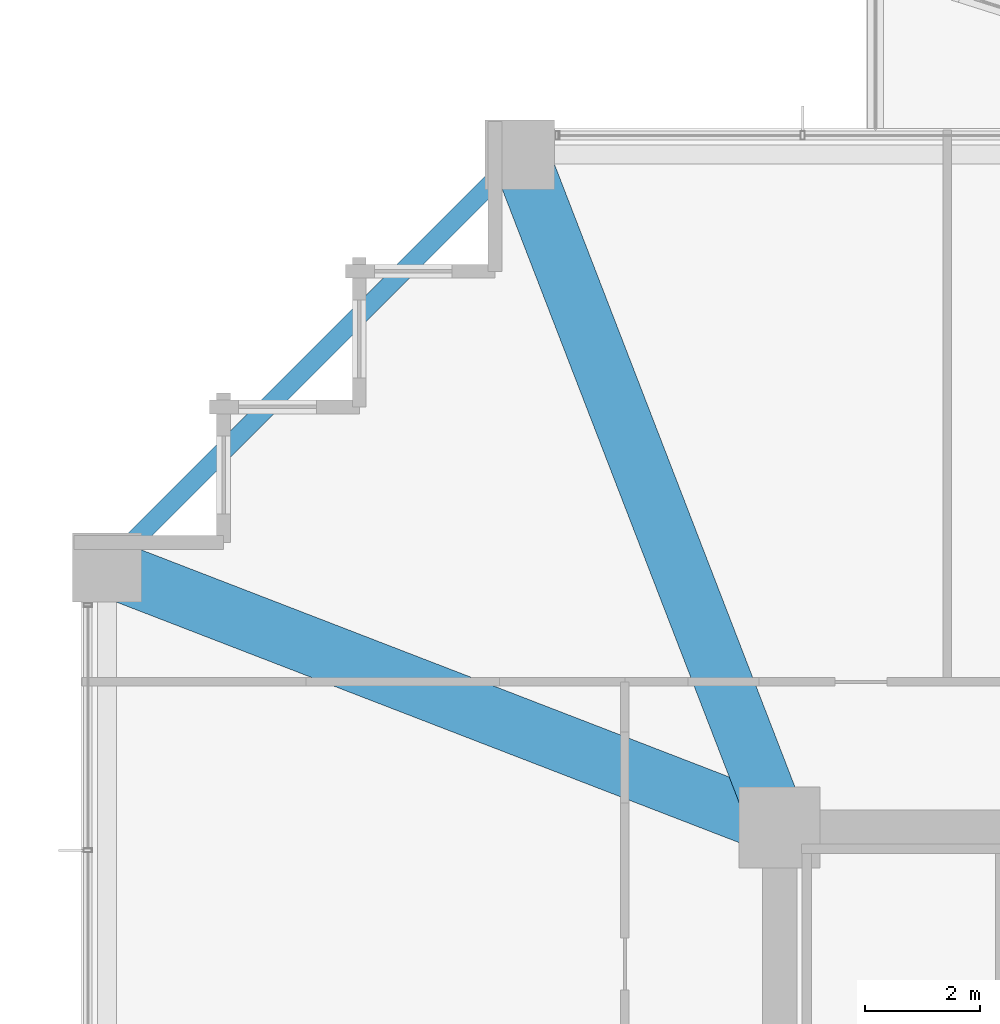
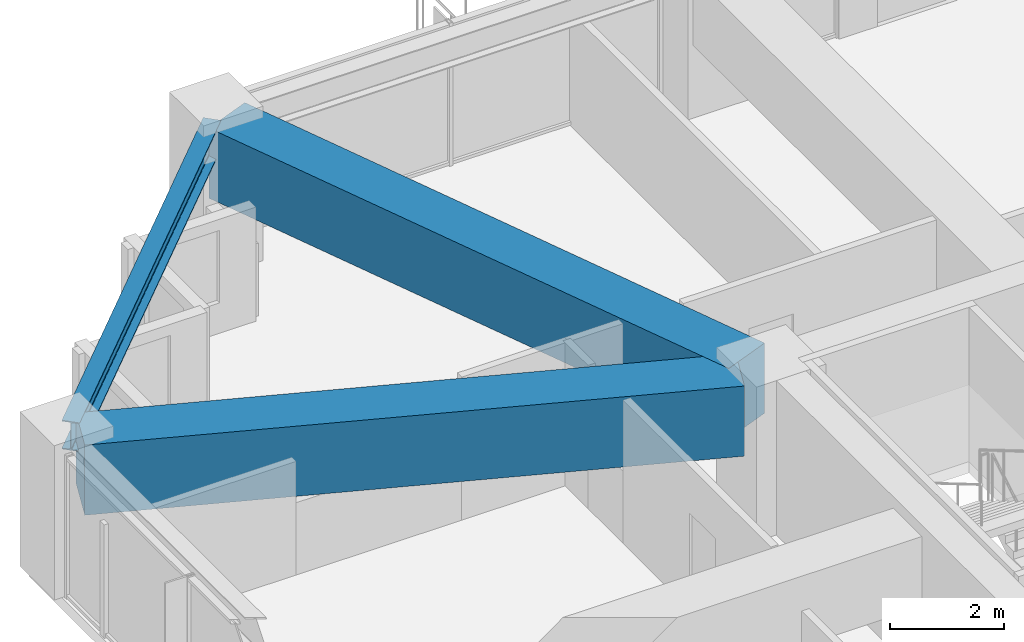
# One storey, part 17 of 37: 3 beams.
"""IFC4 building model written with IfcOpenShell, lengths in metres."""

import ifcopenshell
import ifcopenshell.guid

model = None  # the IFC model being written
_history = None  # IfcOwnerHistory: only IFC2X3 demands one
_inside = {}  # id of a spatial element -> (the spatial element, [elements in it])
_under = {}  # id of a project, library or spatial element -> (it, [spatial elements below it])
_declared = {}  # id of a project -> (the project, [libraries it declares])
_typed = {}  # id of a type object -> (the type object, [elements of that type])
_made_of = {}  # id of a material, layer set ... -> (it, [elements and type objects made of it])


def new_model(schema):
    """Start an empty IFC model of exactly this schema.

    Asked for "IFC4X3", IfcOpenShell would pick the latest addendum, in which some entities
    have other attributes; the version numbers below select the first issue.
    IFC2X3 requires an IfcOwnerHistory on every rooted entity: one is made here for all.
    """
    global model, _history
    if schema == "IFC4X3":
        model = ifcopenshell.file(schema_version=(4, 3, 0, 0))
    else:
        model = ifcopenshell.file(schema=schema)
    _inside.clear()
    _under.clear()
    _declared.clear()
    _typed.clear()
    _made_of.clear()
    _history = None
    if model.schema == "IFC2X3":
        org = make("IfcOrganization", Name="unknown")
        user = make(
            "IfcPersonAndOrganization",
            ThePerson=make("IfcPerson", FamilyName="unknown"),
            TheOrganization=org,
        )
        app = make(
            "IfcApplication",
            ApplicationDeveloper=org,
            Version="unknown",
            ApplicationFullName="unknown",
            ApplicationIdentifier="unknown",
        )
        _history = make(
            "IfcOwnerHistory",
            OwningUser=user,
            OwningApplication=app,
            ChangeAction="ADDED",
            CreationDate=0,
        )
    return model


def make(cls, **values):
    """One entity of the class cls with the attributes given. An attribute that is None is left unset."""
    return model.create_entity(
        cls, **{name: value for name, value in values.items() if value is not None}
    )


def rooted(cls, **values):
    """An entity with a GlobalId (a new one), such as an element, a storey or a relation."""
    return make(cls, GlobalId=ifcopenshell.guid.new(), OwnerHistory=_history, **values)


def si_unit(unit_type, name, prefix=None):
    """IfcSIUnit, for example si_unit("LENGTHUNIT", "METRE", prefix="MILLI")."""
    return make("IfcSIUnit", UnitType=unit_type, Prefix=prefix, Name=name)


def assignment(units):
    """IfcUnitAssignment: the units of a project."""
    return None if units is None else make("IfcUnitAssignment", Units=units)


def point(xyz):
    """IfcCartesianPoint."""
    return None if xyz is None else make("IfcCartesianPoint", Coordinates=xyz)


def direction(xyz):
    """IfcDirection."""
    return None if xyz is None else make("IfcDirection", DirectionRatios=xyz)


def frame(location, z_axis=None, x_axis=None):
    """IfcAxis2Placement3D, a coordinate frame: its origin and axes. An axis left out is left unset."""
    return make(
        "IfcAxis2Placement3D",
        Location=point(location),
        Axis=direction(z_axis),
        RefDirection=direction(x_axis),
    )


def frame_2d(location, x_axis=None):
    """IfcAxis2Placement2D, a coordinate frame in the plane: its origin and x axis."""
    return make(
        "IfcAxis2Placement2D", Location=point(location), RefDirection=direction(x_axis)
    )


def origin():
    """The frame at (0, 0, 0) with its axes left unset."""
    return frame((0.0, 0.0, 0.0))


def origin_2d():
    """The frame at (0, 0) in the plane with its x axis left unset."""
    return frame_2d((0.0, 0.0))


def place(relative_to, where):
    """IfcLocalPlacement: puts the frame where relative to a parent placement (None: the world)."""
    return make(
        "IfcLocalPlacement", PlacementRelTo=relative_to, RelativePlacement=where
    )


def context(
    kind, dimensions, precision=None, world=None, true_north=None, identifier=None
):
    """IfcGeometricRepresentationContext, for example the 3D "Model" context."""
    return make(
        "IfcGeometricRepresentationContext",
        ContextIdentifier=identifier,
        ContextType=kind,
        CoordinateSpaceDimension=dimensions,
        Precision=precision,
        WorldCoordinateSystem=world,
        TrueNorth=true_north,
    )


def subcontext(parent, identifier, kind, view, scale=None):
    """IfcGeometricRepresentationSubContext, for example "Body" below "Model"."""
    return make(
        "IfcGeometricRepresentationSubContext",
        ContextIdentifier=identifier,
        ContextType=kind,
        ParentContext=parent,
        TargetScale=scale,
        TargetView=view,
    )


def project(units=None, contexts=None):
    """IfcProject with its units and contexts."""
    return rooted(
        "IfcProject",
        Name="project",
        RepresentationContexts=contexts,
        UnitsInContext=assignment(units),
    )


def spatial(cls, under=None, at=None, **own):
    """A site, building, storey or space (cls), placed at a placement, below another one or the project."""
    s = rooted(cls, ObjectPlacement=at, **own)
    if under is not None:
        _under.setdefault(under.id(), (under, []))[1].append(s)
    return s


def profile(cls, at=None, kind="AREA", **sizes):
    """A parametric profile (cls). Its sizes go by their IFC names, for example OverallWidth=200.0."""
    return make(cls, ProfileType=kind, Position=at, **sizes)


def rectangle(**sizes):
    """IfcRectangleProfileDef."""
    return profile("IfcRectangleProfileDef", **sizes)


def i_section(**sizes):
    """IfcIShapeProfileDef."""
    return profile("IfcIShapeProfileDef", **sizes)


def extrude(swept, where, along, depth):
    """IfcExtrudedAreaSolid: the profile swept, set in the frame where, extruded along a direction by depth."""
    return make(
        "IfcExtrudedAreaSolid",
        SweptArea=swept,
        Position=where,
        ExtrudedDirection=direction(along),
        Depth=depth,
    )


def shape(context_of_items, identifier, shape_type, items):
    """IfcShapeRepresentation: the items that make up one representation, for example the "Body"."""
    return make(
        "IfcShapeRepresentation",
        ContextOfItems=context_of_items,
        RepresentationIdentifier=identifier,
        RepresentationType=shape_type,
        Items=items,
    )


def material(Name=None, Category=None):
    """IfcMaterial."""
    return make("IfcMaterial", Name=Name, Category=Category)


def material_profile(
    of_material, cross_section, Name=None, Category=None, Priority=None
):
    """IfcMaterialProfile: a cross section and its material."""
    return make(
        "IfcMaterialProfile",
        Name=Name,
        Material=of_material,
        Profile=cross_section,
        Priority=Priority,
        Category=Category,
    )


def profile_set(profiles, Name=None, composite=None):
    """IfcMaterialProfileSet."""
    return make(
        "IfcMaterialProfileSet",
        Name=Name,
        MaterialProfiles=profiles,
        CompositeProfile=composite,
    )


def made_of(thing, what):
    """Note that an element or type object is made of a material, layer set ...; save() writes the relation."""
    if what is not None:
        _made_of.setdefault(what.id(), (what, []))[1].append(thing)
    return thing


def type_object(cls, material=None, **own):
    """A type object (cls), such as IfcWallType, which elements share."""
    return made_of(rooted(cls, **own), material)


def element(
    cls,
    number,
    at=None,
    inside=None,
    cuts=None,
    type_object=None,
    material=None,
    context=None,
    identifier="Body",
    shape_type=None,
    held_by="IfcProductDefinitionShape",
    body=None,
    shapes=None,
    **own,
):
    """One element of the class cls, such as IfcWall. Its Tag is "e" and its number.

    at: its placement. inside: the storey or other place that contains it. cuts: it is an
    opening in that element (IfcRelVoidsElement). A single representation is given by context,
    identifier, shape_type and body (its items); several are given by shapes. held_by: the class
    of the entity that holds the representations. save() writes the other relations.
    """
    e = rooted(cls, Tag="e%d" % number, ObjectPlacement=at, **own)
    if body is not None:
        shapes = [shape(context, identifier, shape_type, body)]
    if shapes is not None:
        e.Representation = make(held_by, Representations=shapes)
    if inside is not None:
        _inside.setdefault(inside.id(), (inside, []))[1].append(e)
    if cuts is not None:
        rooted(
            "IfcRelVoidsElement", RelatingBuildingElement=cuts, RelatedOpeningElement=e
        )
    if type_object is not None:
        _typed.setdefault(type_object.id(), (type_object, []))[1].append(e)
    return made_of(e, material)


def aggregate(whole, parts):
    """IfcRelAggregates: a whole, such as a stair, and the parts it consists of."""
    return rooted("IfcRelAggregates", RelatingObject=whole, RelatedObjects=parts)


def save(model, path):
    """Write the relations noted so far, then the file.

    IfcRelAggregates (storeys below a building ...), IfcRelContainedInSpatialStructure (elements
    in a storey), IfcRelDefinesByType, IfcRelAssociatesMaterial and IfcRelDeclares: one each for
    every whole, place, type object, material and project.
    """
    for whole, parts in _under.values():
        aggregate(whole, parts)
    for where, things in _inside.values():
        rooted(
            "IfcRelContainedInSpatialStructure",
            RelatedElements=things,
            RelatingStructure=where,
        )
    for kind, things in _typed.values():
        rooted("IfcRelDefinesByType", RelatedObjects=things, RelatingType=kind)
    for what, things in _made_of.values():
        rooted("IfcRelAssociatesMaterial", RelatedObjects=things, RelatingMaterial=what)
    for by, libraries in _declared.values():
        rooted("IfcRelDeclares", RelatingContext=by, RelatedDefinitions=libraries)
    model.write(path)


model = new_model("IFC4")

# Units and contexts
model_context = context("Model", 3, precision=1e-05, world=origin(), true_north=direction((0.0, 1.0)))
body_context = subcontext(model_context, "Body", "Model", "MODEL_VIEW")
ifc_project = project(units=[si_unit("LENGTHUNIT", "METRE"), si_unit("AREAUNIT", "SQUARE_METRE"), si_unit("VOLUMEUNIT", "CUBIC_METRE"), si_unit("PLANEANGLEUNIT", "RADIAN"), si_unit("MASSUNIT", "GRAM", prefix="KILO")], contexts=[model_context])

# Site, building, storey
site_placement = place(None, origin())
site = spatial("IfcSite", under=ifc_project, at=site_placement, CompositionType="ELEMENT")
building_placement = place(site_placement, origin())
building = spatial("IfcBuilding", under=site, at=building_placement, Name="Kolvaren Belvedere", CompositionType="ELEMENT")
storey_placement = place(building_placement, frame((0.0, 0.0, 43.60009765625)))
storey = spatial("IfcBuildingStorey", under=building, at=storey_placement, Name="L12", CompositionType="ELEMENT", Elevation=43.60009765625)

# Beams
ifc_material_1 = material(Name="Structural steel ASTM A992 Grade 50", Category="steel")
ifc_material_profile_1 = material_profile(ifc_material_1, i_section(OverallWidth=0.324951171875, OverallDepth=0.615966796875, WebThickness=0.013916015625, FlangeThickness=0.021484375, FilletRadius=0.02001953125, at=origin_2d()), Name="W24X117")
ifc_profile_set_1 = profile_set([ifc_material_profile_1], Name="Structural steel ASTM A992 Grade 50")
beam_type_1 = type_object("IfcBeamType", Name="BM-SPAN-W24X117", PredefinedType="SPANDREL", material=ifc_profile_set_1)
beam_placement = place(storey_placement, frame((-14.5908203125, 21.359130859375, 2.751953125), z_axis=(-0.707106781187, -0.707106781187, 0.0), x_axis=(0.707106781187, -0.707106781187, 0.0)))
element("IfcBeam", 1, at=beam_placement, inside=storey, type_object=beam_type_1, Name="L12 Perimeter Spandrel N1-W4", PredefinedType="SPANDREL", context=body_context, shape_type="SweptSolid", body=[
    extrude(i_section(OverallWidth=0.324951171875, OverallDepth=0.615966796875, WebThickness=0.013916015625, FlangeThickness=0.021484375, FilletRadius=0.02001953125, at=origin_2d()), origin(), (0.0, 0.0, 1.0), 9.57177734375),
])
ifc_material_2 = material(Name="Concrete C50/60", Category="concrete")
ifc_material_profile_2 = material_profile(ifc_material_2, rectangle(XDim=1.0, YDim=1.5, at=origin_2d()), Name="RC 1000X1500")
ifc_profile_set_2 = profile_set([ifc_material_profile_2], Name="Concrete C50/60")
beam_type_2 = type_object("IfcBeamType", Name="BM-TG-1500", PredefinedType="BEAM", material=ifc_profile_set_2)
for number, where, z_axis, x_axis, name in (
    (2, (-10.09814453125, 10.4130859375, 2.309814453125), (-0.360318391835, 0.932829382313, 0.0), (-0.932829382313, -0.360318391835, 0.0), "L12 Corner Core-to-Perimeter Girder CC4-N1"),
    (3, (-10.4130859375, 10.09814453125, 2.309814453125), (-0.932829382313, 0.360318391835, 0.0), (-0.360318391835, -0.932829382313, 0.0), "L12 Corner Core-to-Perimeter Girder CC4-W4"),
):
    element("IfcBeam", number, at=place(storey_placement, frame(where, z_axis=z_axis, x_axis=x_axis)), inside=storey, type_object=beam_type_2, Name=name, PredefinedType="BEAM", context=body_context, shape_type="SweptSolid", body=[
        extrude(rectangle(XDim=1.0, YDim=1.5, at=origin_2d()), origin(), (0.0, 0.0, 1.0), 11.698974609375),
    ])

save(model, "model.ifc")
